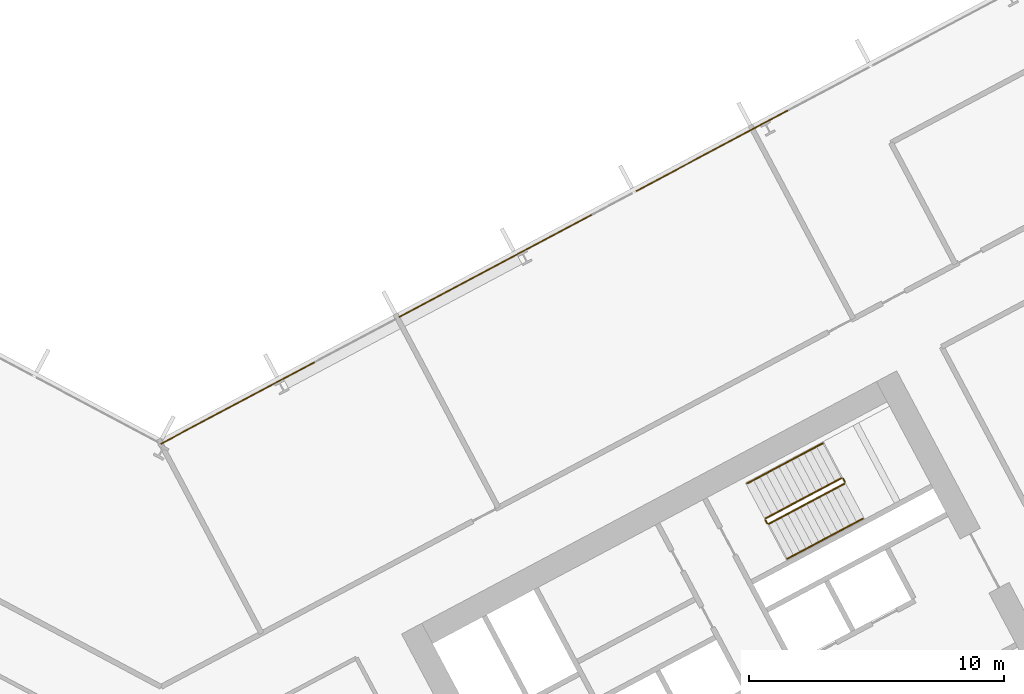
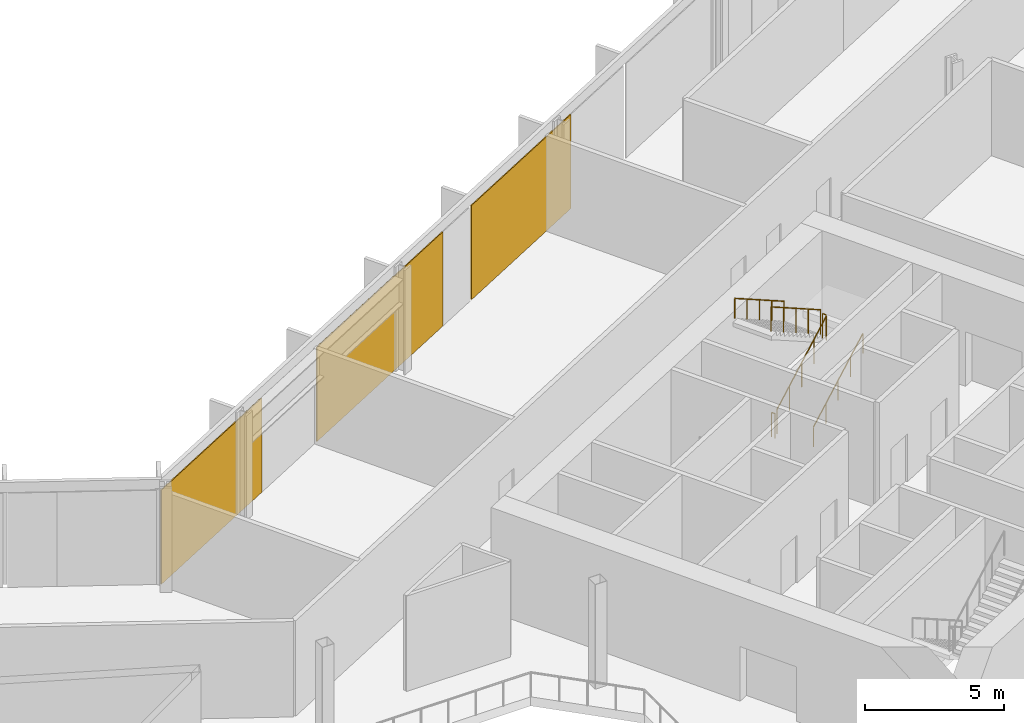
# One storey, part 29 of 31: 6 railings, 3 coverings, 1 element without a shape of its own.
"""IFC4 building model written with IfcOpenShell, lengths in metres."""

from ifc_helpers import new_model, si_unit, direction, frame, origin, origin_2d, place, context, subcontext, project, spatial, polyline, rectangle, outline, extrude, material, layer, layer_set, type_object, element, aggregate, save


model = new_model("IFC4")

# Units and contexts
model_context = context("Model", 3, precision=1e-05, world=origin(), true_north=direction((0.0, 1.0)))
body_context = subcontext(model_context, "Body", "Model", "MODEL_VIEW")
ifc_project = project(units=[si_unit("LENGTHUNIT", "METRE"), si_unit("AREAUNIT", "SQUARE_METRE"), si_unit("VOLUMEUNIT", "CUBIC_METRE"), si_unit("PLANEANGLEUNIT", "RADIAN"), si_unit("MASSUNIT", "GRAM", prefix="KILO")], contexts=[model_context])

# Site, building, storey
site_placement = place(None, origin())
site = spatial("IfcSite", under=ifc_project, at=site_placement, CompositionType="ELEMENT")
building_placement = place(site_placement, origin())
building = spatial("IfcBuilding", under=site, at=building_placement, Name="Cormorant Relay Tower", CompositionType="ELEMENT")
storey_placement = place(building_placement, frame((0.0, 0.0, 98.39990234375)))
storey = spatial("IfcBuildingStorey", under=building, at=storey_placement, Name="L19", CompositionType="ELEMENT", Elevation=98.39990234375)

# Curtain wall, coverings
ifc_material_1 = material(Name="Aluminium 6063-T6 anodised bronze", Category="aluminium")
ifc_layer_1 = layer(ifc_material_1, 0.199951171875)
ifc_layer_set_1 = layer_set([ifc_layer_1], Name="CW1 unitised bronze curtain wall with vertical fins")
curtain_wall_type = type_object("IfcCurtainWallType", Name="CW1 unitised bronze curtain wall with vertical fins", PredefinedType="NOTDEFINED", material=ifc_layer_set_1)
curtain_wall_placement = place(storey_placement, origin())
curtain_wall = element("IfcCurtainWall", 1, at=curtain_wall_placement, inside=storey, type_object=curtain_wall_type, Name="CW1 curtain wall 6", PredefinedType="NOTDEFINED")
ifc_material_2 = material(Name="Pale bronze anodised aluminium insulated panel", Category="aluminium")
ifc_layer_2 = layer(ifc_material_2, 0.0400390625)
ifc_layer_set_2 = layer_set([ifc_layer_2], Name="CW1 pale bronze insulated panel 40")
covering_type = type_object("IfcCoveringType", Name="CW1 pale bronze insulated panel 40", PredefinedType="CLADDING", material=ifc_layer_set_2)
covering_1_placement = place(storey_placement, frame((21.6123046875, 35.298095703125, 0.000244140625), z_axis=(0.0, 0.0, 1.0), x_axis=(-0.882947592859, -0.469471562786, 0.0)))
covering_1 = element("IfcCovering", 2, at=covering_1_placement, type_object=covering_type, Name="CW1 panel S06", PredefinedType="CLADDING", context=body_context, shape_type="SweptSolid", body=[
    extrude(rectangle(XDim=6.765380859375, YDim=0.0400390625, at=origin_2d()), origin(), (0.0, 0.0, 1.0), 4.14990234375),
])
covering_2_placement = place(storey_placement, frame((13.12255859375, 30.7841796875, 0.000244140625), z_axis=(0.0, 0.0, 1.0), x_axis=(-0.882947592859, -0.469471562786, 0.0)))
covering_2 = element("IfcCovering", 3, at=covering_2_placement, type_object=covering_type, Name="CW1 panel S08", PredefinedType="CLADDING", context=body_context, shape_type="SweptSolid", body=[
    extrude(rectangle(XDim=8.565185546875, YDim=0.0400390625, at=origin_2d()), origin(), (0.0, 0.0, 1.0), 4.14990234375),
])
covering_3_placement = place(storey_placement, frame((3.010498046875, 25.4072265625, 0.000244140625), z_axis=(0.0, 0.0, 1.0), x_axis=(-0.882947592859, -0.469471562786, 0.0)))
covering_3 = element("IfcCovering", 4, at=covering_3_placement, type_object=covering_type, Name="CW1 panel S10", PredefinedType="CLADDING", context=body_context, shape_type="SweptSolid", body=[
    extrude(rectangle(XDim=6.84033203125, YDim=0.0400390625, at=origin_2d()), origin(), (0.0, 0.0, 1.0), 4.14990234375),
])
aggregate(curtain_wall, [covering_1, covering_2, covering_3])

# Railings
ifc_material_3 = material(Name="Steel ASTM A572 Grade 50 (Fy 345 MPa)", Category="steel")
railing_type_1 = type_object("IfcRailingType", Name="Stair guard 1100", PredefinedType="GUARDRAIL", material=ifc_material_3)
railing_1_placement = place(storey_placement, frame((23.8408203125, 20.6611328125, 0.177001953125)))
element("IfcRailing", 5, at=railing_1_placement, inside=storey, type_object=railing_type_1, Name="L19 B2 stair guard 1", PredefinedType="GUARDRAIL", context=body_context, shape_type="SweptSolid", body=[
    extrude(outline(polyline([(0.022216796875, 0.00927734375), (0.00927734375, 0.022216796875), (-0.00927734375, 0.022216796875), (-0.022216796875, 0.00927734375), (-0.022216796875, -0.00927734375), (-0.00927734375, -0.022216796875), (0.00927734375, -0.022216796875), (0.022216796875, -0.00927734375), (0.022216796875, 0.00927734375)])), frame((0.0, 0.0, 1.076171875), z_axis=(0.746440668329, 0.396869088057, 0.534154711306), x_axis=(-0.46945269911, 0.882957622595, 0.0)), (0.0, 0.0, 1.0), 3.974609375),
    extrude(outline(polyline([(0.019287109375, 0.008056640625), (0.008056640625, 0.019287109375), (-0.008056640625, 0.019287109375), (-0.019287109375, 0.008056640625), (-0.019287109375, -0.008056640625), (-0.008056640625, -0.019287109375), (0.008056640625, -0.019287109375), (0.019287109375, -0.008056640625), (0.019287109375, 0.008056640625)])), origin(), (0.0, 0.0, 1.0), 1.052001953125),
    extrude(outline(polyline([(0.019287109375, 0.008056640625), (0.008056640625, 0.019287109375), (-0.008056640625, 0.019287109375), (-0.019287109375, 0.008056640625), (-0.019287109375, -0.008056640625), (-0.008056640625, -0.019287109375), (0.008056640625, -0.019287109375), (0.019287109375, -0.008056640625), (0.019287109375, 0.008056640625)])), frame((0.74169921875, 0.394287109375, 0.53076171875)), (0.0, 0.0, 1.0), 1.052001953125),
    extrude(outline(polyline([(0.019287109375, 0.008056640625), (0.008056640625, 0.019287109375), (-0.008056640625, 0.019287109375), (-0.019287109375, 0.008056640625), (-0.019287109375, -0.008056640625), (-0.008056640625, -0.019287109375), (0.008056640625, -0.019287109375), (0.019287109375, -0.008056640625), (0.019287109375, 0.008056640625)])), frame((1.4833984375, 0.78857421875, 1.0615234375)), (0.0, 0.0, 1.0), 1.052001953125),
    extrude(outline(polyline([(0.019287109375, 0.008056640625), (0.008056640625, 0.019287109375), (-0.008056640625, 0.019287109375), (-0.019287109375, 0.008056640625), (-0.019287109375, -0.008056640625), (-0.008056640625, -0.019287109375), (0.008056640625, -0.019287109375), (0.019287109375, -0.008056640625), (0.019287109375, 0.008056640625)])), frame((2.22509765625, 1.18310546875, 1.59228515625)), (0.0, 0.0, 1.0), 1.052001953125),
    extrude(outline(polyline([(0.019287109375, 0.008056640625), (0.008056640625, 0.019287109375), (-0.008056640625, 0.019287109375), (-0.019287109375, 0.008056640625), (-0.019287109375, -0.008056640625), (-0.008056640625, -0.019287109375), (0.008056640625, -0.019287109375), (0.019287109375, -0.008056640625), (0.019287109375, 0.008056640625)])), frame((2.966796875, 1.577392578125, 2.123046875)), (0.0, 0.0, 1.0), 1.052001953125),
])
railing_2_placement = place(storey_placement, frame((26.828125, 22.30615234375, 2.300048828125)))
element("IfcRailing", 6, at=railing_2_placement, inside=storey, type_object=railing_type_1, Name="L19 B2 stair guard 2", PredefinedType="GUARDRAIL", context=body_context, shape_type="SweptSolid", body=[
    extrude(outline(polyline([(0.022216796875, 0.00927734375), (0.00927734375, 0.022216796875), (-0.00927734375, 0.022216796875), (-0.022216796875, 0.00927734375), (-0.022216796875, -0.00927734375), (-0.00927734375, -0.022216796875), (0.00927734375, -0.022216796875), (0.022216796875, -0.00927734375), (0.022216796875, 0.00927734375)])), frame((0.0, 0.0, 1.076171875), z_axis=(-0.469234640946, 0.883073525669, 0.0), x_axis=(-0.883073525669, -0.469234640946, 0.0)), (0.0, 0.0, 1.0), 0.14990234375),
    extrude(outline(polyline([(0.019287109375, 0.008056640625), (0.008056640625, 0.019287109375), (-0.008056640625, 0.019287109375), (-0.019287109375, 0.008056640625), (-0.019287109375, -0.008056640625), (-0.008056640625, -0.019287109375), (0.008056640625, -0.019287109375), (0.019287109375, -0.008056640625), (0.019287109375, 0.008056640625)])), origin(), (0.0, 0.0, 1.0), 1.052001953125),
    extrude(outline(polyline([(0.019287109375, 0.008056640625), (0.008056640625, 0.019287109375), (-0.008056640625, 0.019287109375), (-0.019287109375, 0.008056640625), (-0.019287109375, -0.008056640625), (-0.008056640625, -0.019287109375), (0.008056640625, -0.019287109375), (0.019287109375, -0.008056640625), (0.019287109375, 0.008056640625)])), frame((-0.0703125, 0.13232421875, 0.0)), (0.0, 0.0, 1.0), 1.052001953125),
])
railing_3_placement = place(storey_placement, frame((26.690185546875, 22.459228515625, 2.47705078125)))
element("IfcRailing", 7, at=railing_3_placement, inside=storey, type_object=railing_type_1, Name="L19 B2 stair guard 3", PredefinedType="GUARDRAIL", context=body_context, shape_type="SweptSolid", body=[
    extrude(outline(polyline([(0.022216796875, 0.00927734375), (0.00927734375, 0.022216796875), (-0.00927734375, 0.022216796875), (-0.022216796875, 0.00927734375), (-0.022216796875, -0.00927734375), (-0.00927734375, -0.022216796875), (0.00927734375, -0.022216796875), (0.022216796875, -0.00927734375), (0.022216796875, 0.00927734375)])), frame((0.0, 0.0, 1.076171875), z_axis=(-0.746440668329, -0.396869088057, 0.534154711306), x_axis=(0.46945269911, -0.882957622595, 0.0)), (0.0, 0.0, 1.0), 3.974609375),
    extrude(outline(polyline([(0.019287109375, 0.008056640625), (0.008056640625, 0.019287109375), (-0.008056640625, 0.019287109375), (-0.019287109375, 0.008056640625), (-0.019287109375, -0.008056640625), (-0.008056640625, -0.019287109375), (0.008056640625, -0.019287109375), (0.019287109375, -0.008056640625), (0.019287109375, 0.008056640625)])), origin(), (0.0, 0.0, 1.0), 1.052001953125),
    extrude(outline(polyline([(0.019287109375, 0.008056640625), (0.008056640625, 0.019287109375), (-0.008056640625, 0.019287109375), (-0.019287109375, 0.008056640625), (-0.019287109375, -0.008056640625), (-0.008056640625, -0.019287109375), (0.008056640625, -0.019287109375), (0.019287109375, -0.008056640625), (0.019287109375, 0.008056640625)])), frame((-0.74169921875, -0.394287109375, 0.53076171875)), (0.0, 0.0, 1.0), 1.052001953125),
    extrude(outline(polyline([(0.019287109375, 0.008056640625), (0.008056640625, 0.019287109375), (-0.008056640625, 0.019287109375), (-0.019287109375, 0.008056640625), (-0.019287109375, -0.008056640625), (-0.008056640625, -0.019287109375), (0.008056640625, -0.019287109375), (0.019287109375, -0.008056640625), (0.019287109375, 0.008056640625)])), frame((-1.4833984375, -0.78857421875, 1.0615234375)), (0.0, 0.0, 1.0), 1.052001953125),
    extrude(outline(polyline([(0.019287109375, 0.008056640625), (0.008056640625, 0.019287109375), (-0.008056640625, 0.019287109375), (-0.019287109375, 0.008056640625), (-0.019287109375, -0.008056640625), (-0.008056640625, -0.019287109375), (0.008056640625, -0.019287109375), (0.019287109375, -0.008056640625), (0.019287109375, 0.008056640625)])), frame((-2.22509765625, -1.18310546875, 1.59228515625)), (0.0, 0.0, 1.0), 1.052001953125),
    extrude(outline(polyline([(0.019287109375, 0.008056640625), (0.008056640625, 0.019287109375), (-0.008056640625, 0.019287109375), (-0.019287109375, 0.008056640625), (-0.019287109375, -0.008056640625), (-0.008056640625, -0.019287109375), (0.008056640625, -0.019287109375), (0.019287109375, -0.008056640625), (0.019287109375, 0.008056640625)])), frame((-2.966796875, -1.577392578125, 2.123046875)), (0.0, 0.0, 1.0), 1.052001953125),
])
railing_4_placement = place(storey_placement, frame((23.773193359375, 20.681640625, 0.0)))
element("IfcRailing", 8, at=railing_4_placement, inside=storey, type_object=railing_type_1, Name="L19 B2 stair guard 4", PredefinedType="GUARDRAIL", context=body_context, shape_type="SweptSolid", body=[
    extrude(outline(polyline([(0.022216796875, 0.00927734375), (0.00927734375, 0.022216796875), (-0.00927734375, 0.022216796875), (-0.022216796875, 0.00927734375), (-0.022216796875, -0.00927734375), (-0.00927734375, -0.022216796875), (0.00927734375, -0.022216796875), (0.022216796875, -0.00927734375), (0.022216796875, 0.00927734375)])), frame((0.0, 0.0, 1.076171875), z_axis=(-0.46856034887, 0.8834314911, 0.0), x_axis=(-0.8834314911, -0.46856034887, 0.0)), (0.0, 0.0, 1.0), 0.150146484375),
    extrude(outline(polyline([(0.019287109375, 0.008056640625), (0.008056640625, 0.019287109375), (-0.008056640625, 0.019287109375), (-0.019287109375, 0.008056640625), (-0.019287109375, -0.008056640625), (-0.008056640625, -0.019287109375), (0.008056640625, -0.019287109375), (0.019287109375, -0.008056640625), (0.019287109375, 0.008056640625)])), origin(), (0.0, 0.0, 1.0), 1.052001953125),
    extrude(outline(polyline([(0.019287109375, 0.008056640625), (0.008056640625, 0.019287109375), (-0.008056640625, 0.019287109375), (-0.019287109375, 0.008056640625), (-0.019287109375, -0.008056640625), (-0.008056640625, -0.019287109375), (0.008056640625, -0.019287109375), (0.019287109375, -0.008056640625), (0.019287109375, 0.008056640625)])), frame((-0.0703125, 0.132568359375, 0.0)), (0.0, 0.0, 1.0), 1.052001953125),
])
ifc_material_4 = material(Name="Steel ASTM A572 Grade 50 (Fy 345 MPa)", Category="steel")
railing_type_2 = type_object("IfcRailingType", Name="Stair handrail 900", PredefinedType="HANDRAIL", material=ifc_material_4)
railing_5_placement = place(storey_placement, frame((24.568603515625, 19.29248046875, 0.177001953125)))
element("IfcRailing", 9, at=railing_5_placement, inside=storey, type_object=railing_type_2, Name="L19 B2 stair handrail 1", PredefinedType="HANDRAIL", context=body_context, shape_type="SweptSolid", body=[
    extrude(outline(polyline([(0.022216796875, 0.00927734375), (0.00927734375, 0.022216796875), (-0.00927734375, 0.022216796875), (-0.022216796875, 0.00927734375), (-0.022216796875, -0.00927734375), (-0.00927734375, -0.022216796875), (0.00927734375, -0.022216796875), (0.022216796875, -0.00927734375), (0.022216796875, 0.00927734375)])), frame((0.0, 0.0, 0.8759765625), z_axis=(0.746413465702, 0.396887285154, 0.534179203172), x_axis=(-0.469482818608, 0.88294160794, 0.0)), (0.0, 0.0, 1.0), 3.974365234375),
    extrude(outline(polyline([(0.019287109375, 0.008056640625), (0.008056640625, 0.019287109375), (-0.008056640625, 0.019287109375), (-0.019287109375, 0.008056640625), (-0.019287109375, -0.008056640625), (-0.008056640625, -0.019287109375), (0.008056640625, -0.019287109375), (0.019287109375, -0.008056640625), (0.019287109375, 0.008056640625)])), origin(), (0.0, 0.0, 1.0), 0.851806640625),
    extrude(outline(polyline([(0.019287109375, 0.008056640625), (0.008056640625, 0.019287109375), (-0.008056640625, 0.019287109375), (-0.019287109375, 0.008056640625), (-0.019287109375, -0.008056640625), (-0.008056640625, -0.019287109375), (0.008056640625, -0.019287109375), (0.019287109375, -0.008056640625), (0.019287109375, 0.008056640625)])), frame((0.74169921875, 0.394287109375, 0.53076171875)), (0.0, 0.0, 1.0), 0.851806640625),
    extrude(outline(polyline([(0.019287109375, 0.008056640625), (0.008056640625, 0.019287109375), (-0.008056640625, 0.019287109375), (-0.019287109375, 0.008056640625), (-0.019287109375, -0.008056640625), (-0.008056640625, -0.019287109375), (0.008056640625, -0.019287109375), (0.019287109375, -0.008056640625), (0.019287109375, 0.008056640625)])), frame((1.4833984375, 0.78857421875, 1.0615234375)), (0.0, 0.0, 1.0), 0.851806640625),
    extrude(outline(polyline([(0.019287109375, 0.008056640625), (0.008056640625, 0.019287109375), (-0.008056640625, 0.019287109375), (-0.019287109375, 0.008056640625), (-0.019287109375, -0.008056640625), (-0.008056640625, -0.019287109375), (0.008056640625, -0.019287109375), (0.019287109375, -0.008056640625), (0.019287109375, 0.008056640625)])), frame((2.224853515625, 1.18310546875, 1.59228515625)), (0.0, 0.0, 1.0), 0.851806640625),
    extrude(outline(polyline([(0.019287109375, 0.008056640625), (0.008056640625, 0.019287109375), (-0.008056640625, 0.019287109375), (-0.019287109375, 0.008056640625), (-0.019287109375, -0.008056640625), (-0.008056640625, -0.019287109375), (0.008056640625, -0.019287109375), (0.019287109375, -0.008056640625), (0.019287109375, 0.008056640625)])), frame((2.966552734375, 1.577392578125, 2.123046875)), (0.0, 0.0, 1.0), 0.851806640625),
])
railing_6_placement = place(storey_placement, frame((25.96240234375, 23.827880859375, 2.47705078125)))
element("IfcRailing", 10, at=railing_6_placement, inside=storey, type_object=railing_type_2, Name="L19 B2 stair handrail 2", PredefinedType="HANDRAIL", context=body_context, shape_type="SweptSolid", body=[
    extrude(outline(polyline([(0.022216796875, 0.00927734375), (0.00927734375, 0.022216796875), (-0.00927734375, 0.022216796875), (-0.022216796875, 0.00927734375), (-0.022216796875, -0.00927734375), (-0.00927734375, -0.022216796875), (0.00927734375, -0.022216796875), (0.022216796875, -0.00927734375), (0.022216796875, 0.00927734375)])), frame((0.0, 0.0, 0.8759765625), z_axis=(-0.74639526736, -0.39693903528, 0.534166179324), x_axis=(0.469539463624, -0.882911485994, 0.0)), (0.0, 0.0, 1.0), 3.974609375),
    extrude(outline(polyline([(0.019287109375, 0.008056640625), (0.008056640625, 0.019287109375), (-0.008056640625, 0.019287109375), (-0.019287109375, 0.008056640625), (-0.019287109375, -0.008056640625), (-0.008056640625, -0.019287109375), (0.008056640625, -0.019287109375), (0.019287109375, -0.008056640625), (0.019287109375, 0.008056640625)])), origin(), (0.0, 0.0, 1.0), 0.851806640625),
    extrude(outline(polyline([(0.019287109375, 0.008056640625), (0.008056640625, 0.019287109375), (-0.008056640625, 0.019287109375), (-0.019287109375, 0.008056640625), (-0.019287109375, -0.008056640625), (-0.008056640625, -0.019287109375), (0.008056640625, -0.019287109375), (0.019287109375, -0.008056640625), (0.019287109375, 0.008056640625)])), frame((-0.74169921875, -0.39453125, 0.53076171875)), (0.0, 0.0, 1.0), 0.851806640625),
    extrude(outline(polyline([(0.019287109375, 0.008056640625), (0.008056640625, 0.019287109375), (-0.008056640625, 0.019287109375), (-0.019287109375, 0.008056640625), (-0.019287109375, -0.008056640625), (-0.008056640625, -0.019287109375), (0.008056640625, -0.019287109375), (0.019287109375, -0.008056640625), (0.019287109375, 0.008056640625)])), frame((-1.4833984375, -0.788818359375, 1.0615234375)), (0.0, 0.0, 1.0), 0.851806640625),
    extrude(outline(polyline([(0.019287109375, 0.008056640625), (0.008056640625, 0.019287109375), (-0.008056640625, 0.019287109375), (-0.019287109375, 0.008056640625), (-0.019287109375, -0.008056640625), (-0.008056640625, -0.019287109375), (0.008056640625, -0.019287109375), (0.019287109375, -0.008056640625), (0.019287109375, 0.008056640625)])), frame((-2.224853515625, -1.18310546875, 1.59228515625)), (0.0, 0.0, 1.0), 0.851806640625),
    extrude(outline(polyline([(0.019287109375, 0.008056640625), (0.008056640625, 0.019287109375), (-0.008056640625, 0.019287109375), (-0.019287109375, 0.008056640625), (-0.019287109375, -0.008056640625), (-0.008056640625, -0.019287109375), (0.008056640625, -0.019287109375), (0.019287109375, -0.008056640625), (0.019287109375, 0.008056640625)])), frame((-2.966552734375, -1.57763671875, 2.123046875)), (0.0, 0.0, 1.0), 0.851806640625),
])

save(model, "model.ifc")
